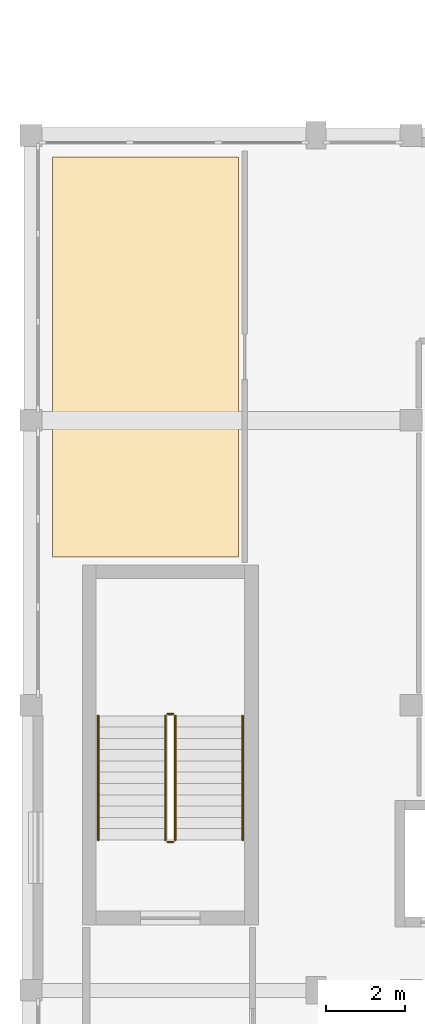
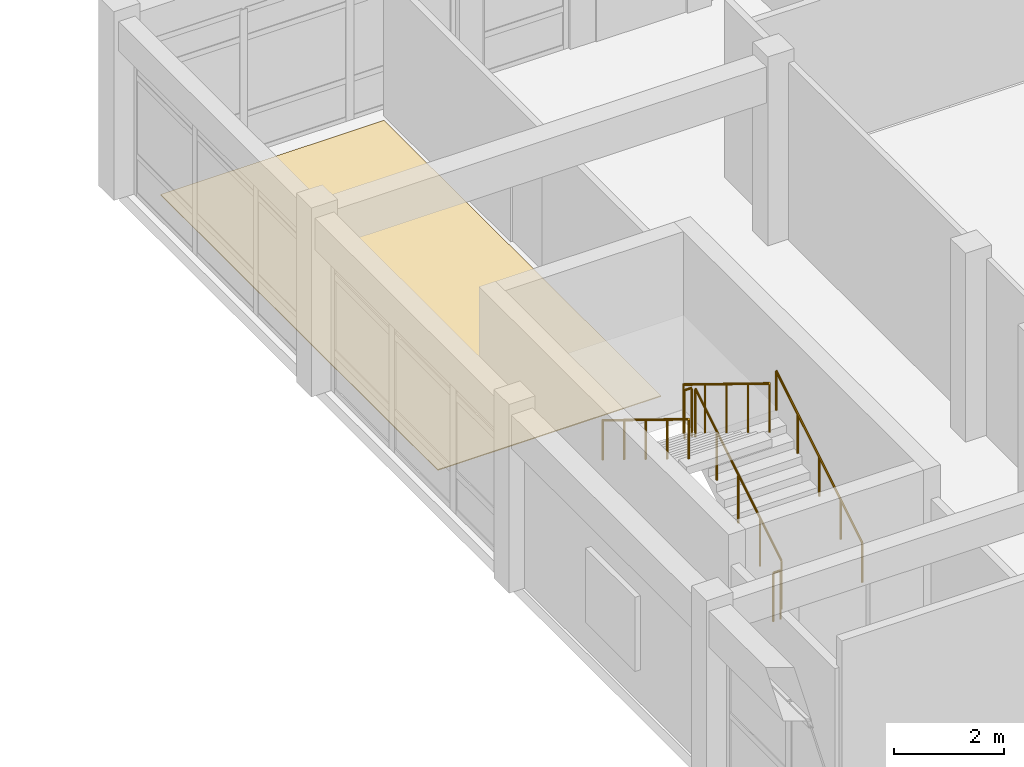
# One storey, part 50 of 60: 6 railings, 1 covering.
"""IFC4 building model written with IfcOpenShell, lengths in metres."""

import ifcopenshell
import ifcopenshell.guid

model = None  # the IFC model being written
_history = None  # IfcOwnerHistory: only IFC2X3 demands one
_inside = {}  # id of a spatial element -> (the spatial element, [elements in it])
_under = {}  # id of a project, library or spatial element -> (it, [spatial elements below it])
_declared = {}  # id of a project -> (the project, [libraries it declares])
_typed = {}  # id of a type object -> (the type object, [elements of that type])
_made_of = {}  # id of a material, layer set ... -> (it, [elements and type objects made of it])


def new_model(schema):
    """Start an empty IFC model of exactly this schema.

    Asked for "IFC4X3", IfcOpenShell would pick the latest addendum, in which some entities
    have other attributes; the version numbers below select the first issue.
    IFC2X3 requires an IfcOwnerHistory on every rooted entity: one is made here for all.
    """
    global model, _history
    if schema == "IFC4X3":
        model = ifcopenshell.file(schema_version=(4, 3, 0, 0))
    else:
        model = ifcopenshell.file(schema=schema)
    _inside.clear()
    _under.clear()
    _declared.clear()
    _typed.clear()
    _made_of.clear()
    _history = None
    if model.schema == "IFC2X3":
        org = make("IfcOrganization", Name="unknown")
        user = make(
            "IfcPersonAndOrganization",
            ThePerson=make("IfcPerson", FamilyName="unknown"),
            TheOrganization=org,
        )
        app = make(
            "IfcApplication",
            ApplicationDeveloper=org,
            Version="unknown",
            ApplicationFullName="unknown",
            ApplicationIdentifier="unknown",
        )
        _history = make(
            "IfcOwnerHistory",
            OwningUser=user,
            OwningApplication=app,
            ChangeAction="ADDED",
            CreationDate=0,
        )
    return model


def make(cls, **values):
    """One entity of the class cls with the attributes given. An attribute that is None is left unset."""
    return model.create_entity(
        cls, **{name: value for name, value in values.items() if value is not None}
    )


def rooted(cls, **values):
    """An entity with a GlobalId (a new one), such as an element, a storey or a relation."""
    return make(cls, GlobalId=ifcopenshell.guid.new(), OwnerHistory=_history, **values)


def si_unit(unit_type, name, prefix=None):
    """IfcSIUnit, for example si_unit("LENGTHUNIT", "METRE", prefix="MILLI")."""
    return make("IfcSIUnit", UnitType=unit_type, Prefix=prefix, Name=name)


def assignment(units):
    """IfcUnitAssignment: the units of a project."""
    return None if units is None else make("IfcUnitAssignment", Units=units)


def point(xyz):
    """IfcCartesianPoint."""
    return None if xyz is None else make("IfcCartesianPoint", Coordinates=xyz)


def direction(xyz):
    """IfcDirection."""
    return None if xyz is None else make("IfcDirection", DirectionRatios=xyz)


def frame(location, z_axis=None, x_axis=None):
    """IfcAxis2Placement3D, a coordinate frame: its origin and axes. An axis left out is left unset."""
    return make(
        "IfcAxis2Placement3D",
        Location=point(location),
        Axis=direction(z_axis),
        RefDirection=direction(x_axis),
    )


def frame_2d(location, x_axis=None):
    """IfcAxis2Placement2D, a coordinate frame in the plane: its origin and x axis."""
    return make(
        "IfcAxis2Placement2D", Location=point(location), RefDirection=direction(x_axis)
    )


def origin():
    """The frame at (0, 0, 0) with its axes left unset."""
    return frame((0.0, 0.0, 0.0))


def origin_2d():
    """The frame at (0, 0) in the plane with its x axis left unset."""
    return frame_2d((0.0, 0.0))


def place(relative_to, where):
    """IfcLocalPlacement: puts the frame where relative to a parent placement (None: the world)."""
    return make(
        "IfcLocalPlacement", PlacementRelTo=relative_to, RelativePlacement=where
    )


def context(
    kind, dimensions, precision=None, world=None, true_north=None, identifier=None
):
    """IfcGeometricRepresentationContext, for example the 3D "Model" context."""
    return make(
        "IfcGeometricRepresentationContext",
        ContextIdentifier=identifier,
        ContextType=kind,
        CoordinateSpaceDimension=dimensions,
        Precision=precision,
        WorldCoordinateSystem=world,
        TrueNorth=true_north,
    )


def subcontext(parent, identifier, kind, view, scale=None):
    """IfcGeometricRepresentationSubContext, for example "Body" below "Model"."""
    return make(
        "IfcGeometricRepresentationSubContext",
        ContextIdentifier=identifier,
        ContextType=kind,
        ParentContext=parent,
        TargetScale=scale,
        TargetView=view,
    )


def project(units=None, contexts=None):
    """IfcProject with its units and contexts."""
    return rooted(
        "IfcProject",
        Name="project",
        RepresentationContexts=contexts,
        UnitsInContext=assignment(units),
    )


def spatial(cls, under=None, at=None, **own):
    """A site, building, storey or space (cls), placed at a placement, below another one or the project."""
    s = rooted(cls, ObjectPlacement=at, **own)
    if under is not None:
        _under.setdefault(under.id(), (under, []))[1].append(s)
    return s


def polyline(points):
    """IfcPolyline through the points."""
    return make("IfcPolyline", Points=[point(p) for p in points])


def profile(cls, at=None, kind="AREA", **sizes):
    """A parametric profile (cls). Its sizes go by their IFC names, for example OverallWidth=200.0."""
    return make(cls, ProfileType=kind, Position=at, **sizes)


def circle(**sizes):
    """IfcCircleProfileDef."""
    return profile("IfcCircleProfileDef", **sizes)


def outline(outer, holes=None, kind="AREA"):
    """IfcArbitraryClosedProfileDef: a profile drawn as a closed curve; with holes, ...WithVoids."""
    if holes is None:
        return make("IfcArbitraryClosedProfileDef", ProfileType=kind, OuterCurve=outer)
    return make(
        "IfcArbitraryProfileDefWithVoids",
        ProfileType=kind,
        OuterCurve=outer,
        InnerCurves=holes,
    )


def extrude(swept, where, along, depth):
    """IfcExtrudedAreaSolid: the profile swept, set in the frame where, extruded along a direction by depth."""
    return make(
        "IfcExtrudedAreaSolid",
        SweptArea=swept,
        Position=where,
        ExtrudedDirection=direction(along),
        Depth=depth,
    )


def shape(context_of_items, identifier, shape_type, items):
    """IfcShapeRepresentation: the items that make up one representation, for example the "Body"."""
    return make(
        "IfcShapeRepresentation",
        ContextOfItems=context_of_items,
        RepresentationIdentifier=identifier,
        RepresentationType=shape_type,
        Items=items,
    )


def material(Name=None, Category=None):
    """IfcMaterial."""
    return make("IfcMaterial", Name=Name, Category=Category)


def layer(
    of_material, thickness, ventilated=None, Name=None, Category=None, Priority=None
):
    """IfcMaterialLayer: one layer of a wall or slab, of a material (None: an air gap)."""
    return make(
        "IfcMaterialLayer",
        Material=of_material,
        LayerThickness=thickness,
        IsVentilated=ventilated,
        Name=Name,
        Category=Category,
        Priority=Priority,
    )


def layer_set(layers, Name=None):
    """IfcMaterialLayerSet."""
    return make("IfcMaterialLayerSet", MaterialLayers=layers, LayerSetName=Name)


def made_of(thing, what):
    """Note that an element or type object is made of a material, layer set ...; save() writes the relation."""
    if what is not None:
        _made_of.setdefault(what.id(), (what, []))[1].append(thing)
    return thing


def type_object(cls, material=None, **own):
    """A type object (cls), such as IfcWallType, which elements share."""
    return made_of(rooted(cls, **own), material)


def element(
    cls,
    number,
    at=None,
    inside=None,
    cuts=None,
    type_object=None,
    material=None,
    context=None,
    identifier="Body",
    shape_type=None,
    held_by="IfcProductDefinitionShape",
    body=None,
    shapes=None,
    **own,
):
    """One element of the class cls, such as IfcWall. Its Tag is "e" and its number.

    at: its placement. inside: the storey or other place that contains it. cuts: it is an
    opening in that element (IfcRelVoidsElement). A single representation is given by context,
    identifier, shape_type and body (its items); several are given by shapes. held_by: the class
    of the entity that holds the representations. save() writes the other relations.
    """
    e = rooted(cls, Tag="e%d" % number, ObjectPlacement=at, **own)
    if body is not None:
        shapes = [shape(context, identifier, shape_type, body)]
    if shapes is not None:
        e.Representation = make(held_by, Representations=shapes)
    if inside is not None:
        _inside.setdefault(inside.id(), (inside, []))[1].append(e)
    if cuts is not None:
        rooted(
            "IfcRelVoidsElement", RelatingBuildingElement=cuts, RelatedOpeningElement=e
        )
    if type_object is not None:
        _typed.setdefault(type_object.id(), (type_object, []))[1].append(e)
    return made_of(e, material)


def aggregate(whole, parts):
    """IfcRelAggregates: a whole, such as a stair, and the parts it consists of."""
    return rooted("IfcRelAggregates", RelatingObject=whole, RelatedObjects=parts)


def save(model, path):
    """Write the relations noted so far, then the file.

    IfcRelAggregates (storeys below a building ...), IfcRelContainedInSpatialStructure (elements
    in a storey), IfcRelDefinesByType, IfcRelAssociatesMaterial and IfcRelDeclares: one each for
    every whole, place, type object, material and project.
    """
    for whole, parts in _under.values():
        aggregate(whole, parts)
    for where, things in _inside.values():
        rooted(
            "IfcRelContainedInSpatialStructure",
            RelatedElements=things,
            RelatingStructure=where,
        )
    for kind, things in _typed.values():
        rooted("IfcRelDefinesByType", RelatedObjects=things, RelatingType=kind)
    for what, things in _made_of.values():
        rooted("IfcRelAssociatesMaterial", RelatedObjects=things, RelatingMaterial=what)
    for by, libraries in _declared.values():
        rooted("IfcRelDeclares", RelatingContext=by, RelatedDefinitions=libraries)
    model.write(path)


model = new_model("IFC4")

# Units and contexts
model_context = context("Model", 3, precision=1e-05, world=origin(), true_north=direction((0.0, 1.0)))
body_context = subcontext(model_context, "Body", "Model", "MODEL_VIEW")
ifc_project = project(units=[si_unit("LENGTHUNIT", "METRE"), si_unit("AREAUNIT", "SQUARE_METRE"), si_unit("VOLUMEUNIT", "CUBIC_METRE"), si_unit("PLANEANGLEUNIT", "RADIAN"), si_unit("MASSUNIT", "GRAM", prefix="KILO")], contexts=[model_context])

# Site, building, storey
site_placement = place(None, origin())
site = spatial("IfcSite", under=ifc_project, at=site_placement, CompositionType="ELEMENT")
building_placement = place(site_placement, origin())
building = spatial("IfcBuilding", under=site, at=building_placement, Name="Brisavento Harbour Community Centre", CompositionType="ELEMENT")
storey_placement = place(building_placement, frame((0.0, 0.0, 4.5)))
storey = spatial("IfcBuildingStorey", under=building, at=storey_placement, Name="L01", CompositionType="ELEMENT", Elevation=4.5)

# Covering
ifc_material_1 = material(Name="Polished marine terrazzo tile", Category="other")
ifc_layer = layer(ifc_material_1, 0.02001953125, Name="Polished marine terrazzo tile")
ifc_layer_set = layer_set([ifc_layer], Name="Polished marine terrazzo tile")
covering_type = type_object("IfcCoveringType", Name="COV-FLR-TRZ", PredefinedType="FLOORING", material=ifc_layer_set)
covering_placement = place(storey_placement, origin())
element("IfcCovering", 1, at=covering_placement, inside=storey, type_object=covering_type, Name="L01 Performers Green Room terrazzo flooring", PredefinedType="FLOORING", context=body_context, shape_type="SweptSolid", body=[
    extrude(outline(polyline([(5.25, 25.35009765625), (5.25, 35.449951171875), (0.550048828125, 35.449951171875), (0.550048828125, 25.35009765625), (5.25, 25.35009765625)])), origin(), (0.0, 0.0, 1.0), 0.02001953125),
])

# Railings
ifc_material_2 = material(Name="Stainless steel 1.4401", Category="steel")
railing_type_1 = type_object("IfcRailingType", Name="RL-ST-GUARD", PredefinedType="GUARDRAIL", material=ifc_material_2)
railing_1_placement = place(storey_placement, frame((3.64990234375, 18.199951171875, 0.175048828125)))
element("IfcRailing", 2, at=railing_1_placement, inside=storey, type_object=railing_type_1, Name="L01 ST-01 stair guard 1", PredefinedType="GUARDRAIL", context=body_context, shape_type="SweptSolid", body=[
    extrude(circle(Radius=0.02392578125, at=origin_2d()), frame((0.0, 0.0, 1.076171875), z_axis=(0.0, 0.852166034122, 0.523271488128), x_axis=(-1.0, 0.0, 0.0)), (0.0, 0.0, 1.0), 3.678955078125),
    extrude(circle(Radius=0.02099609375, at=origin_2d()), origin(), (0.0, 0.0, 1.0), 1.052001953125),
    extrude(circle(Radius=0.02099609375, at=origin_2d()), frame((0.0, 0.78369140625, 0.481201171875)), (0.0, 0.0, 1.0), 1.052001953125),
    extrude(circle(Radius=0.02099609375, at=origin_2d()), frame((0.0, 1.5673828125, 0.96240234375)), (0.0, 0.0, 1.0), 1.052001953125),
    extrude(circle(Radius=0.02099609375, at=origin_2d()), frame((0.0, 2.351318359375, 1.44384765625)), (0.0, 0.0, 1.0), 1.052001953125),
    extrude(circle(Radius=0.02099609375, at=origin_2d()), frame((0.0, 3.135009765625, 1.925048828125)), (0.0, 0.0, 1.0), 1.052001953125),
])
railing_2_placement = place(storey_placement, frame((3.60009765625, 21.385009765625, 2.10009765625)))
element("IfcRailing", 3, at=railing_2_placement, inside=storey, type_object=railing_type_1, Name="L01 ST-01 stair guard 2", PredefinedType="GUARDRAIL", context=body_context, shape_type="SweptSolid", body=[
    extrude(circle(Radius=0.02392578125, at=origin_2d()), frame((0.0, 0.0, 1.076171875), z_axis=(-1.0, 0.0, 0.0), x_axis=(0.0, -1.0, 0.0)), (0.0, 0.0, 1.0), 0.150146484375),
    extrude(circle(Radius=0.02099609375, at=origin_2d()), origin(), (0.0, 0.0, 1.0), 1.052001953125),
    extrude(circle(Radius=0.02099609375, at=origin_2d()), frame((-0.150146484375, 0.0, 0.0)), (0.0, 0.0, 1.0), 1.052001953125),
])
railing_3_placement = place(storey_placement, frame((3.39990234375, 21.3349609375, 2.27490234375)))
element("IfcRailing", 4, at=railing_3_placement, inside=storey, type_object=railing_type_1, Name="L01 ST-01 stair guard 3", PredefinedType="GUARDRAIL", context=body_context, shape_type="SweptSolid", body=[
    extrude(circle(Radius=0.02392578125, at=origin_2d()), frame((0.0, 0.0, 1.076171875), z_axis=(0.0, -0.852166034122, 0.523271488128), x_axis=(1.0, 0.0, 0.0)), (0.0, 0.0, 1.0), 3.678955078125),
    extrude(circle(Radius=0.02099609375, at=origin_2d()), origin(), (0.0, 0.0, 1.0), 1.052001953125),
    extrude(circle(Radius=0.02099609375, at=origin_2d()), frame((0.0, -0.78369140625, 0.481201171875)), (0.0, 0.0, 1.0), 1.052001953125),
    extrude(circle(Radius=0.02099609375, at=origin_2d()), frame((0.0, -1.5673828125, 0.96240234375)), (0.0, 0.0, 1.0), 1.052001953125),
    extrude(circle(Radius=0.02099609375, at=origin_2d()), frame((0.0, -2.351318359375, 1.44384765625)), (0.0, 0.0, 1.0), 1.052001953125),
    extrude(circle(Radius=0.02099609375, at=origin_2d()), frame((0.0, -3.135009765625, 1.925048828125)), (0.0, 0.0, 1.0), 1.052001953125),
])
railing_4_placement = place(storey_placement, frame((3.60009765625, 18.14990234375, 0.0)))
element("IfcRailing", 5, at=railing_4_placement, inside=storey, type_object=railing_type_1, Name="L01 ST-01 stair guard 4", PredefinedType="GUARDRAIL", context=body_context, shape_type="SweptSolid", body=[
    extrude(circle(Radius=0.02392578125, at=origin_2d()), frame((0.0, 0.0, 1.076171875), z_axis=(-1.0, 0.0, 0.0), x_axis=(0.0, -1.0, 0.0)), (0.0, 0.0, 1.0), 0.150146484375),
    extrude(circle(Radius=0.02099609375, at=origin_2d()), origin(), (0.0, 0.0, 1.0), 1.052001953125),
    extrude(circle(Radius=0.02099609375, at=origin_2d()), frame((-0.150146484375, 0.0, 0.0)), (0.0, 0.0, 1.0), 1.052001953125),
])
railing_type_2 = type_object("IfcRailingType", Name="RL-ST-HAND", PredefinedType="HANDRAIL", material=ifc_material_2)
railing_5_placement = place(storey_placement, frame((5.35009765625, 18.199951171875, 0.175048828125)))
element("IfcRailing", 6, at=railing_5_placement, inside=storey, type_object=railing_type_2, Name="L01 ST-01 stair handrail 1", PredefinedType="HANDRAIL", context=body_context, shape_type="SweptSolid", body=[
    extrude(circle(Radius=0.02392578125, at=origin_2d()), frame((0.0, 0.0, 0.8759765625), z_axis=(0.0, 0.852166034122, 0.523271488128), x_axis=(-1.0, 0.0, 0.0)), (0.0, 0.0, 1.0), 3.678955078125),
    extrude(circle(Radius=0.02099609375, at=origin_2d()), origin(), (0.0, 0.0, 1.0), 0.851806640625),
    extrude(circle(Radius=0.02099609375, at=origin_2d()), frame((0.0, 0.78369140625, 0.481201171875)), (0.0, 0.0, 1.0), 0.851806640625),
    extrude(circle(Radius=0.02099609375, at=origin_2d()), frame((0.0, 1.5673828125, 0.96240234375)), (0.0, 0.0, 1.0), 0.851806640625),
    extrude(circle(Radius=0.02099609375, at=origin_2d()), frame((0.0, 2.351318359375, 1.44384765625)), (0.0, 0.0, 1.0), 0.851806640625),
    extrude(circle(Radius=0.02099609375, at=origin_2d()), frame((0.0, 3.135009765625, 1.925048828125)), (0.0, 0.0, 1.0), 0.851806640625),
])
railing_6_placement = place(storey_placement, frame((1.699951171875, 21.3349609375, 2.27490234375)))
element("IfcRailing", 7, at=railing_6_placement, inside=storey, type_object=railing_type_2, Name="L01 ST-01 stair handrail 2", PredefinedType="HANDRAIL", context=body_context, shape_type="SweptSolid", body=[
    extrude(circle(Radius=0.02392578125, at=origin_2d()), frame((0.0, 0.0, 0.8759765625), z_axis=(0.0, -0.852166034122, 0.523271488128), x_axis=(1.0, 0.0, 0.0)), (0.0, 0.0, 1.0), 3.678955078125),
    extrude(circle(Radius=0.02099609375, at=origin_2d()), origin(), (0.0, 0.0, 1.0), 0.851806640625),
    extrude(circle(Radius=0.02099609375, at=origin_2d()), frame((0.0, -0.78369140625, 0.481201171875)), (0.0, 0.0, 1.0), 0.851806640625),
    extrude(circle(Radius=0.02099609375, at=origin_2d()), frame((0.0, -1.5673828125, 0.96240234375)), (0.0, 0.0, 1.0), 0.851806640625),
    extrude(circle(Radius=0.02099609375, at=origin_2d()), frame((0.0, -2.351318359375, 1.44384765625)), (0.0, 0.0, 1.0), 0.851806640625),
    extrude(circle(Radius=0.02099609375, at=origin_2d()), frame((0.0, -3.135009765625, 1.925048828125)), (0.0, 0.0, 1.0), 0.851806640625),
])

save(model, "model.ifc")
